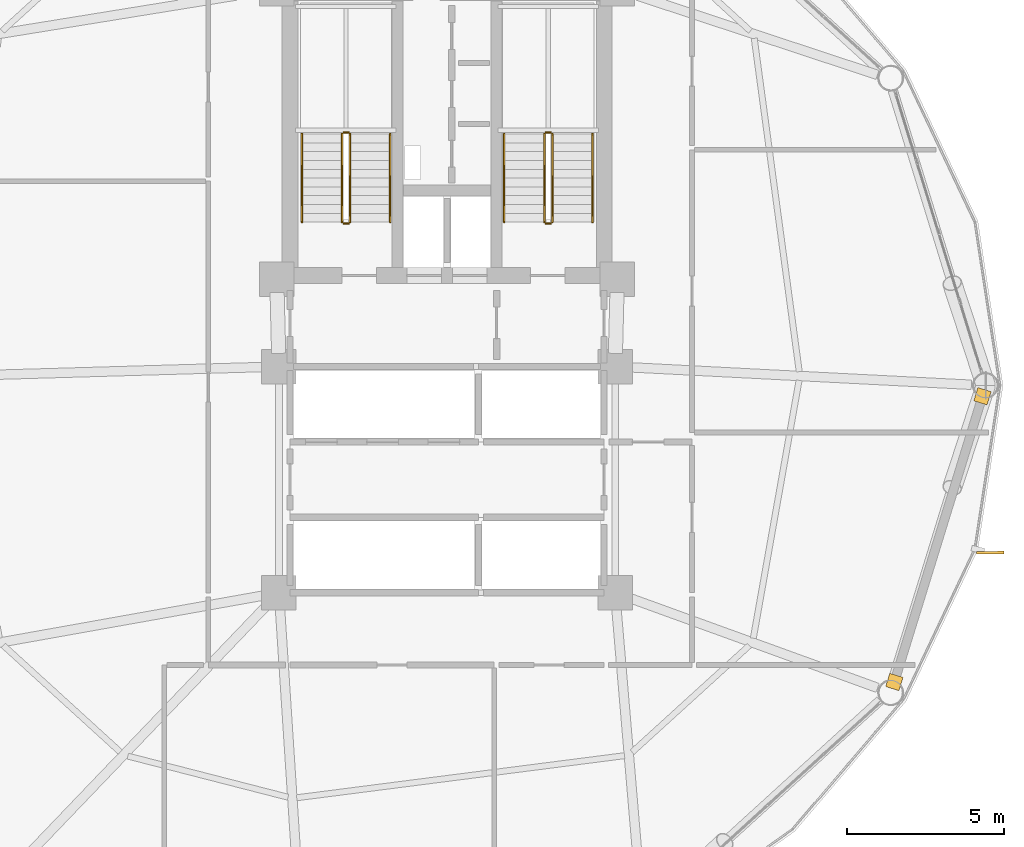
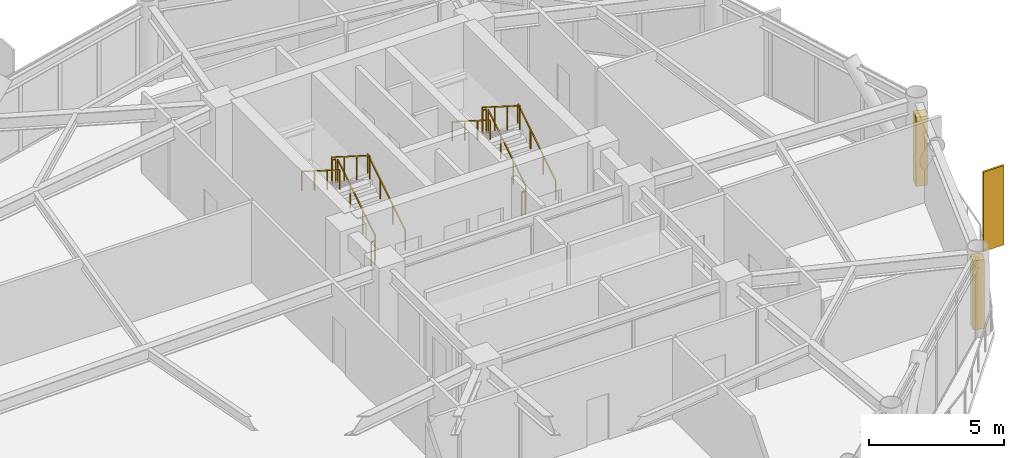
# One storey, part 24 of 25: 12 railings, 2 coverings, 1 shading device.
"""IFC4 building model written with IfcOpenShell, lengths in metres."""

from ifc_helpers import new_model, si_unit, direction, frame, origin, origin_2d, place, context, subcontext, project, spatial, rectangle, extrude, source, transform, mapped, material, layer, layer_set, type_object, type_shapes, element, save


model = new_model("IFC4")

# Units and contexts
model_context = context("Model", 3, precision=1e-05, world=origin(), true_north=direction((0.0, 1.0)))
body_context = subcontext(model_context, "Body", "Model", "MODEL_VIEW")
ifc_project = project(units=[si_unit("LENGTHUNIT", "METRE"), si_unit("AREAUNIT", "SQUARE_METRE"), si_unit("VOLUMEUNIT", "CUBIC_METRE"), si_unit("PLANEANGLEUNIT", "RADIAN"), si_unit("MASSUNIT", "GRAM", prefix="KILO")], contexts=[model_context])

# Site, building, storey
site_placement = place(None, origin())
site = spatial("IfcSite", under=ifc_project, at=site_placement, CompositionType="ELEMENT")
building_placement = place(site_placement, origin())
building = spatial("IfcBuilding", under=site, at=building_placement, Name="Varnakorn Sky Granary", CompositionType="ELEMENT")
storey_placement = place(building_placement, frame((0.0, 0.0, 99.300048828125)))
storey = spatial("IfcBuildingStorey", under=building, at=storey_placement, Name="L24", CompositionType="ELEMENT", Elevation=99.300048828125)

# Railings
ifc_material_1 = material(Name="Brushed Stainless Steel 316", Category="steel")
railing_type_1 = type_object("IfcRailingType", Name="RL-STAIR-1100", PredefinedType="GUARDRAIL", material=ifc_material_1)
railing_1_placement = place(storey_placement, frame((-0.090087890625, 5.199951171875, 0.17724609375)))
element("IfcRailing", 1, at=railing_1_placement, inside=storey, type_object=railing_type_1, Name="L24 ST-1 stair guard 1", PredefinedType="GUARDRAIL", context=body_context, shape_type="SweptSolid", body=[
    extrude(rectangle(XDim=0.048095703125, YDim=0.048095703125, at=origin_2d()), frame((0.0, 0.0, 1.076171875), z_axis=(0.0, 0.844908973607, 0.534910110503), x_axis=(-1.0, 0.0, 0.0)), (0.0, 0.0, 1.0), 3.31396484375),
    extrude(rectangle(XDim=0.0419921875, YDim=0.0419921875, at=origin_2d()), origin(), (0.0, 0.0, 1.0), 1.048095703125),
    extrude(rectangle(XDim=0.0419921875, YDim=0.0419921875, at=origin_2d()), frame((0.0, 0.933349609375, 0.5908203125)), (0.0, 0.0, 1.0), 1.048095703125),
    extrude(rectangle(XDim=0.0419921875, YDim=0.0419921875, at=origin_2d()), frame((0.0, 1.86669921875, 1.181884765625)), (0.0, 0.0, 1.0), 1.048095703125),
    extrude(rectangle(XDim=0.0419921875, YDim=0.0419921875, at=origin_2d()), frame((0.0, 2.800048828125, 1.772705078125)), (0.0, 0.0, 1.0), 1.048095703125),
])
railing_2_placement = place(storey_placement, frame((-0.139892578125, 8.050048828125, 1.949951171875)))
element("IfcRailing", 2, at=railing_2_placement, inside=storey, type_object=railing_type_1, Name="L24 ST-1 stair guard 2", PredefinedType="GUARDRAIL", context=body_context, shape_type="SweptSolid", body=[
    extrude(rectangle(XDim=0.048095703125, YDim=0.048095703125, at=origin_2d()), frame((0.0, 0.0, 1.076171875), z_axis=(-1.0, 0.0, 0.0), x_axis=(0.0, -1.0, 0.0)), (0.0, 0.0, 1.0), 0.150146484375),
    extrude(rectangle(XDim=0.0419921875, YDim=0.0419921875, at=origin_2d()), origin(), (0.0, 0.0, 1.0), 1.048095703125),
    extrude(rectangle(XDim=0.0419921875, YDim=0.0419921875, at=origin_2d()), frame((-0.150146484375, 0.0, 0.0)), (0.0, 0.0, 1.0), 1.048095703125),
])
railing_3_placement = place(storey_placement, frame((-0.340087890625, 8.0, 2.127197265625)))
element("IfcRailing", 3, at=railing_3_placement, inside=storey, type_object=railing_type_1, Name="L24 ST-1 stair guard 3", PredefinedType="GUARDRAIL", context=body_context, shape_type="SweptSolid", body=[
    extrude(rectangle(XDim=0.048095703125, YDim=0.048095703125, at=origin_2d()), frame((0.0, 0.0, 1.076171875), z_axis=(0.0, -0.844908973607, 0.534910110503), x_axis=(1.0, 0.0, 0.0)), (0.0, 0.0, 1.0), 3.31396484375),
    extrude(rectangle(XDim=0.0419921875, YDim=0.0419921875, at=origin_2d()), origin(), (0.0, 0.0, 1.0), 1.048095703125),
    extrude(rectangle(XDim=0.0419921875, YDim=0.0419921875, at=origin_2d()), frame((0.0, -0.933349609375, 0.5908203125)), (0.0, 0.0, 1.0), 1.048095703125),
    extrude(rectangle(XDim=0.0419921875, YDim=0.0419921875, at=origin_2d()), frame((0.0, -1.86669921875, 1.181884765625)), (0.0, 0.0, 1.0), 1.048095703125),
    extrude(rectangle(XDim=0.0419921875, YDim=0.0419921875, at=origin_2d()), frame((0.0, -2.800048828125, 1.772705078125)), (0.0, 0.0, 1.0), 1.048095703125),
])
railing_4_placement = place(storey_placement, frame((-0.139892578125, 5.14990234375, 0.0)))
element("IfcRailing", 4, at=railing_4_placement, inside=storey, type_object=railing_type_1, Name="L24 ST-1 stair guard 4", PredefinedType="GUARDRAIL", context=body_context, shape_type="SweptSolid", body=[
    extrude(rectangle(XDim=0.048095703125, YDim=0.048095703125, at=origin_2d()), frame((0.0, 0.0, 1.076171875), z_axis=(-1.0, 0.0, 0.0), x_axis=(0.0, -1.0, 0.0)), (0.0, 0.0, 1.0), 0.150146484375),
    extrude(rectangle(XDim=0.0419921875, YDim=0.0419921875, at=origin_2d()), origin(), (0.0, 0.0, 1.0), 1.048095703125),
    extrude(rectangle(XDim=0.0419921875, YDim=0.0419921875, at=origin_2d()), frame((-0.150146484375, 0.0, 0.0)), (0.0, 0.0, 1.0), 1.048095703125),
])
railing_5_placement = place(storey_placement, frame((6.35009765625, 5.199951171875, 0.17724609375)))
element("IfcRailing", 5, at=railing_5_placement, inside=storey, type_object=railing_type_1, Name="L24 ST-2 stair guard 1", PredefinedType="GUARDRAIL", context=body_context, shape_type="SweptSolid", body=[
    extrude(rectangle(XDim=0.048095703125, YDim=0.048095703125, at=origin_2d()), frame((0.0, 0.0, 1.076171875), z_axis=(0.0, 0.844908973607, 0.534910110503), x_axis=(-1.0, 0.0, 0.0)), (0.0, 0.0, 1.0), 3.31396484375),
    extrude(rectangle(XDim=0.0419921875, YDim=0.0419921875, at=origin_2d()), origin(), (0.0, 0.0, 1.0), 1.048095703125),
    extrude(rectangle(XDim=0.0419921875, YDim=0.0419921875, at=origin_2d()), frame((0.0, 0.933349609375, 0.5908203125)), (0.0, 0.0, 1.0), 1.048095703125),
    extrude(rectangle(XDim=0.0419921875, YDim=0.0419921875, at=origin_2d()), frame((0.0, 1.86669921875, 1.181884765625)), (0.0, 0.0, 1.0), 1.048095703125),
    extrude(rectangle(XDim=0.0419921875, YDim=0.0419921875, at=origin_2d()), frame((0.0, 2.800048828125, 1.772705078125)), (0.0, 0.0, 1.0), 1.048095703125),
])
railing_6_placement = place(storey_placement, frame((6.300048828125, 8.050048828125, 1.949951171875)))
element("IfcRailing", 6, at=railing_6_placement, inside=storey, type_object=railing_type_1, Name="L24 ST-2 stair guard 2", PredefinedType="GUARDRAIL", context=body_context, shape_type="SweptSolid", body=[
    extrude(rectangle(XDim=0.048095703125, YDim=0.048095703125, at=origin_2d()), frame((0.0, 0.0, 1.076171875), z_axis=(-1.0, 0.0, 0.0), x_axis=(0.0, -1.0, 0.0)), (0.0, 0.0, 1.0), 0.150146484375),
    extrude(rectangle(XDim=0.0419921875, YDim=0.0419921875, at=origin_2d()), origin(), (0.0, 0.0, 1.0), 1.048095703125),
    extrude(rectangle(XDim=0.0419921875, YDim=0.0419921875, at=origin_2d()), frame((-0.150146484375, 0.0, 0.0)), (0.0, 0.0, 1.0), 1.048095703125),
])
railing_7_placement = place(storey_placement, frame((6.10009765625, 8.0, 2.127197265625)))
element("IfcRailing", 7, at=railing_7_placement, inside=storey, type_object=railing_type_1, Name="L24 ST-2 stair guard 3", PredefinedType="GUARDRAIL", context=body_context, shape_type="SweptSolid", body=[
    extrude(rectangle(XDim=0.048095703125, YDim=0.048095703125, at=origin_2d()), frame((0.0, 0.0, 1.076171875), z_axis=(0.0, -0.844908973607, 0.534910110503), x_axis=(1.0, 0.0, 0.0)), (0.0, 0.0, 1.0), 3.31396484375),
    extrude(rectangle(XDim=0.0419921875, YDim=0.0419921875, at=origin_2d()), origin(), (0.0, 0.0, 1.0), 1.048095703125),
    extrude(rectangle(XDim=0.0419921875, YDim=0.0419921875, at=origin_2d()), frame((0.0, -0.933349609375, 0.5908203125)), (0.0, 0.0, 1.0), 1.048095703125),
    extrude(rectangle(XDim=0.0419921875, YDim=0.0419921875, at=origin_2d()), frame((0.0, -1.86669921875, 1.181884765625)), (0.0, 0.0, 1.0), 1.048095703125),
    extrude(rectangle(XDim=0.0419921875, YDim=0.0419921875, at=origin_2d()), frame((0.0, -2.800048828125, 1.772705078125)), (0.0, 0.0, 1.0), 1.048095703125),
])
railing_8_placement = place(storey_placement, frame((6.300048828125, 5.14990234375, 0.0)))
element("IfcRailing", 8, at=railing_8_placement, inside=storey, type_object=railing_type_1, Name="L24 ST-2 stair guard 4", PredefinedType="GUARDRAIL", context=body_context, shape_type="SweptSolid", body=[
    extrude(rectangle(XDim=0.048095703125, YDim=0.048095703125, at=origin_2d()), frame((0.0, 0.0, 1.076171875), z_axis=(-1.0, 0.0, 0.0), x_axis=(0.0, -1.0, 0.0)), (0.0, 0.0, 1.0), 0.150146484375),
    extrude(rectangle(XDim=0.0419921875, YDim=0.0419921875, at=origin_2d()), origin(), (0.0, 0.0, 1.0), 1.048095703125),
    extrude(rectangle(XDim=0.0419921875, YDim=0.0419921875, at=origin_2d()), frame((-0.150146484375, 0.0, 0.0)), (0.0, 0.0, 1.0), 1.048095703125),
])
railing_type_2 = type_object("IfcRailingType", Name="RL-STAIR-920", PredefinedType="HANDRAIL", material=ifc_material_1)
railing_9_placement = place(storey_placement, frame((1.18994140625, 5.199951171875, 0.17724609375)))
element("IfcRailing", 9, at=railing_9_placement, inside=storey, type_object=railing_type_2, Name="L24 ST-1 stair handrail 1", PredefinedType="HANDRAIL", context=body_context, shape_type="SweptSolid", body=[
    extrude(rectangle(XDim=0.048095703125, YDim=0.048095703125, at=origin_2d()), frame((0.0, 0.0, 0.8759765625), z_axis=(0.0, 0.844908973607, 0.534910110503), x_axis=(-1.0, 0.0, 0.0)), (0.0, 0.0, 1.0), 3.31396484375),
    extrude(rectangle(XDim=0.0419921875, YDim=0.0419921875, at=origin_2d()), origin(), (0.0, 0.0, 1.0), 0.847900390625),
    extrude(rectangle(XDim=0.0419921875, YDim=0.0419921875, at=origin_2d()), frame((0.0, 0.933349609375, 0.5908203125)), (0.0, 0.0, 1.0), 0.847900390625),
    extrude(rectangle(XDim=0.0419921875, YDim=0.0419921875, at=origin_2d()), frame((0.0, 1.86669921875, 1.181884765625)), (0.0, 0.0, 1.0), 0.847900390625),
    extrude(rectangle(XDim=0.0419921875, YDim=0.0419921875, at=origin_2d()), frame((0.0, 2.800048828125, 1.772705078125)), (0.0, 0.0, 1.0), 0.847900390625),
])
railing_10_placement = place(storey_placement, frame((-1.6201171875, 8.0, 2.127197265625)))
element("IfcRailing", 10, at=railing_10_placement, inside=storey, type_object=railing_type_2, Name="L24 ST-1 stair handrail 2", PredefinedType="HANDRAIL", context=body_context, shape_type="SweptSolid", body=[
    extrude(rectangle(XDim=0.048095703125, YDim=0.048095703125, at=origin_2d()), frame((0.0, 0.0, 0.8759765625), z_axis=(0.0, -0.844908973607, 0.534910110503), x_axis=(1.0, 0.0, 0.0)), (0.0, 0.0, 1.0), 3.31396484375),
    extrude(rectangle(XDim=0.0419921875, YDim=0.0419921875, at=origin_2d()), origin(), (0.0, 0.0, 1.0), 0.847900390625),
    extrude(rectangle(XDim=0.0419921875, YDim=0.0419921875, at=origin_2d()), frame((0.0, -0.933349609375, 0.5908203125)), (0.0, 0.0, 1.0), 0.847900390625),
    extrude(rectangle(XDim=0.0419921875, YDim=0.0419921875, at=origin_2d()), frame((0.0, -1.86669921875, 1.181884765625)), (0.0, 0.0, 1.0), 0.847900390625),
    extrude(rectangle(XDim=0.0419921875, YDim=0.0419921875, at=origin_2d()), frame((0.0, -2.800048828125, 1.772705078125)), (0.0, 0.0, 1.0), 0.847900390625),
])
railing_11_placement = place(storey_placement, frame((7.6298828125, 5.199951171875, 0.17724609375)))
element("IfcRailing", 11, at=railing_11_placement, inside=storey, type_object=railing_type_2, Name="L24 ST-2 stair handrail 1", PredefinedType="HANDRAIL", context=body_context, shape_type="SweptSolid", body=[
    extrude(rectangle(XDim=0.048095703125, YDim=0.048095703125, at=origin_2d()), frame((0.0, 0.0, 0.8759765625), z_axis=(0.0, 0.844908973607, 0.534910110503), x_axis=(-1.0, 0.0, 0.0)), (0.0, 0.0, 1.0), 3.31396484375),
    extrude(rectangle(XDim=0.0419921875, YDim=0.0419921875, at=origin_2d()), origin(), (0.0, 0.0, 1.0), 0.847900390625),
    extrude(rectangle(XDim=0.0419921875, YDim=0.0419921875, at=origin_2d()), frame((0.0, 0.933349609375, 0.5908203125)), (0.0, 0.0, 1.0), 0.847900390625),
    extrude(rectangle(XDim=0.0419921875, YDim=0.0419921875, at=origin_2d()), frame((0.0, 1.86669921875, 1.181884765625)), (0.0, 0.0, 1.0), 0.847900390625),
    extrude(rectangle(XDim=0.0419921875, YDim=0.0419921875, at=origin_2d()), frame((0.0, 2.800048828125, 1.772705078125)), (0.0, 0.0, 1.0), 0.847900390625),
])
railing_12_placement = place(storey_placement, frame((4.820068359375, 8.0, 2.127197265625)))
element("IfcRailing", 12, at=railing_12_placement, inside=storey, type_object=railing_type_2, Name="L24 ST-2 stair handrail 2", PredefinedType="HANDRAIL", context=body_context, shape_type="SweptSolid", body=[
    extrude(rectangle(XDim=0.048095703125, YDim=0.048095703125, at=origin_2d()), frame((0.0, 0.0, 0.8759765625), z_axis=(0.0, -0.844908973607, 0.534910110503), x_axis=(1.0, 0.0, 0.0)), (0.0, 0.0, 1.0), 3.31396484375),
    extrude(rectangle(XDim=0.0419921875, YDim=0.0419921875, at=origin_2d()), origin(), (0.0, 0.0, 1.0), 0.847900390625),
    extrude(rectangle(XDim=0.0419921875, YDim=0.0419921875, at=origin_2d()), frame((0.0, -0.933349609375, 0.5908203125)), (0.0, 0.0, 1.0), 0.847900390625),
    extrude(rectangle(XDim=0.0419921875, YDim=0.0419921875, at=origin_2d()), frame((0.0, -1.86669921875, 1.181884765625)), (0.0, 0.0, 1.0), 0.847900390625),
    extrude(rectangle(XDim=0.0419921875, YDim=0.0419921875, at=origin_2d()), frame((0.0, -2.800048828125, 1.772705078125)), (0.0, 0.0, 1.0), 0.847900390625),
])

# Shading device
ifc_material_2 = material(Name="Anodised Bronze Aluminium Alloy 6063-T6", Category="aluminium")
shading_device_type = type_object("IfcShadingDeviceType", Name="SH-FIN-01", PredefinedType="USERDEFINED", material=ifc_material_2)
shared_shape_1 = source(origin(), body_context, "Body", "SweptSolid", [
    extrude(rectangle(XDim=0.0849609375, YDim=0.8798828125, at=origin_2d()), origin(), (0.0, 0.0, 1.0), 3.60009765625),
])
type_shapes(shading_device_type, [shared_shape_1])
shading_device_placement = place(storey_placement, frame((20.289306640625, -5.323486328125, -0.0400390625), z_axis=(0.0, 0.0, 1.0), x_axis=(-0.008163944304, 0.999966674451, 0.0)))
element("IfcShadingDevice", 13, at=shading_device_placement, inside=storey, type_object=shading_device_type, Name="Bronze Solar-Tracking Vertical Blade FIN L24-12", ObjectType="FIN", PredefinedType="USERDEFINED", context=body_context, shape_type="MappedRepresentation", body=[
    mapped(shared_shape_1, transform((0.0, 0.0, 0.0), x_axis=(1.0, 0.0, 0.0), y_axis=(0.0, 1.0, 0.0), z_axis=(0.0, 0.0, 1.0), scale=1.0)),
])

# Coverings
ifc_layer = layer(ifc_material_2, 0.050048828125, Name="Anodised Bronze Aluminium Alloy 6063-T6")
ifc_layer_set = layer_set([ifc_layer], Name="Anodised Bronze Aluminium Alloy 6063-T6")
covering_type = type_object("IfcCoveringType", Name="CV-CLAD-50", PredefinedType="CLADDING", material=ifc_layer_set)
shared_shape_2 = source(origin(), body_context, "Body", "SweptSolid", [
    extrude(rectangle(XDim=0.43994140625, YDim=0.43994140625, at=origin_2d()), origin(), (0.0, 0.0, 1.0), 3.1298828125),
])
type_shapes(covering_type, [shared_shape_2])
for number, where, z_axis, x_axis, name in (
    (14, (20.04345703125, -0.345458984375, -0.02001953125), (0.0, 0.0, 1.0), (-0.294707522925, -0.955587503022, 0.0), "Bronze Corner Pilaster Closure L24-P12-A"),
    (15, (17.239013671875, -9.4404296875, -0.02001953125), (0.0, 0.0, 1.0), (-0.294707522925, -0.955587503022, 0.0), "Bronze Corner Pilaster Closure L24-P12-B"),
):
    element("IfcCovering", number, at=place(storey_placement, frame(where, z_axis=z_axis, x_axis=x_axis)), inside=storey, type_object=covering_type, Name=name, PredefinedType="CLADDING", context=body_context, shape_type="MappedRepresentation", body=[
        mapped(shared_shape_2, transform((0.0, 0.0, 0.0), x_axis=(1.0, 0.0, 0.0), y_axis=(0.0, 1.0, 0.0), z_axis=(0.0, 0.0, 1.0), scale=1.0)),
    ])

save(model, "model.ifc")
